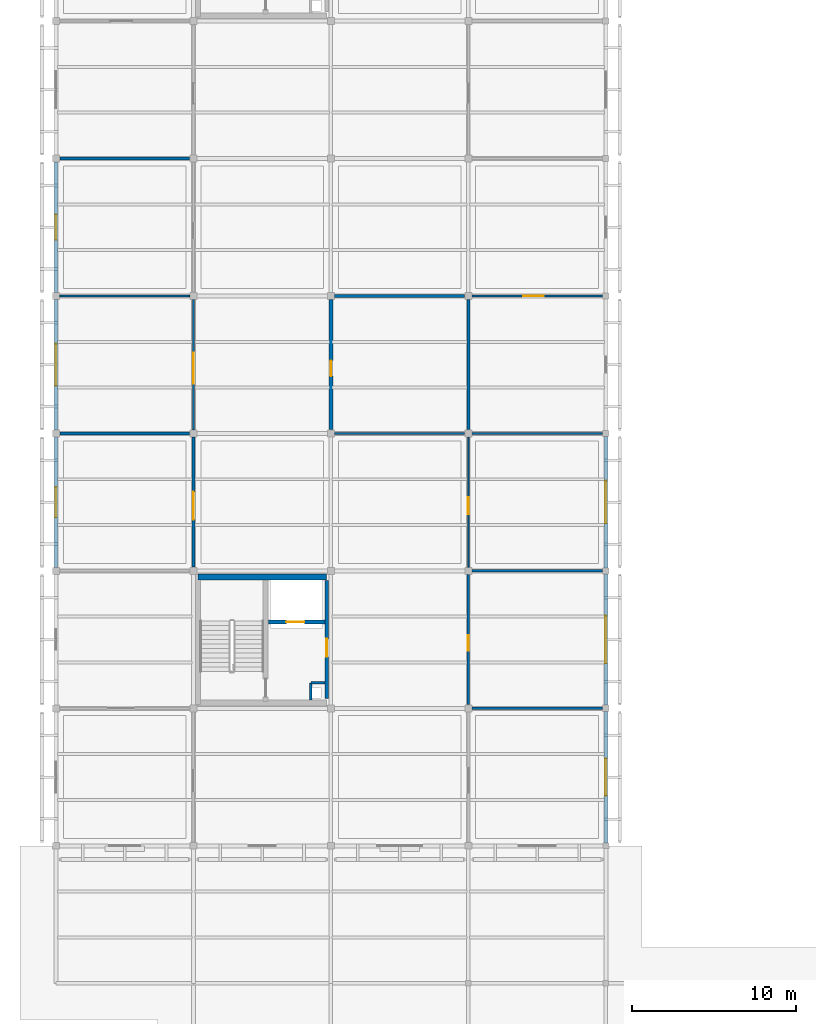
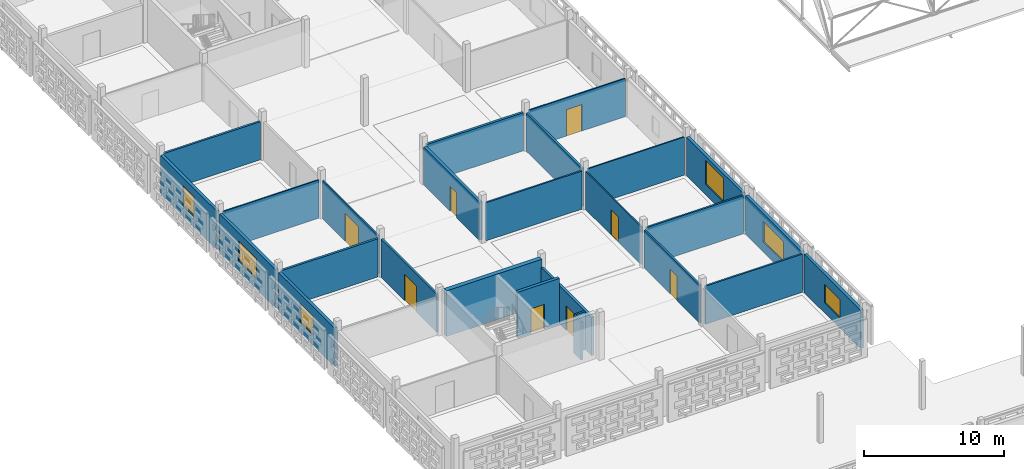
# One storey, part 71 of 103: 26 walls, 8 doors, 6 windows, 14 openings.
"""IFC4 building model written with IfcOpenShell, lengths in metres."""

from ifc_helpers import new_model, si_unit, direction, frame, frame_2d, origin, place, context, subcontext, project, spatial, rectangle, extrude, material, layer, layer_set, type_object, element, fill, save


model = new_model("IFC4")

# Units and contexts
model_context = context("Model", 3, precision=1e-05, world=origin(), true_north=direction((0.0, 1.0)))
body_context = subcontext(model_context, "Body", "Model", "MODEL_VIEW")
ifc_project = project(units=[si_unit("LENGTHUNIT", "METRE"), si_unit("AREAUNIT", "SQUARE_METRE"), si_unit("VOLUMEUNIT", "CUBIC_METRE"), si_unit("PLANEANGLEUNIT", "RADIAN"), si_unit("MASSUNIT", "GRAM", prefix="KILO")], contexts=[model_context])

# Site, building, storey
site_placement = place(None, origin())
site = spatial("IfcSite", under=ifc_project, at=site_placement, CompositionType="ELEMENT")
building_placement = place(site_placement, origin())
building = spatial("IfcBuilding", under=site, at=building_placement, Name="Varnapada Polytechnic", CompositionType="ELEMENT")
storey_placement = place(building_placement, frame((0.0, 0.0, 18.0)))
storey = spatial("IfcBuildingStorey", under=building, at=storey_placement, Name="L04", CompositionType="ELEMENT", Elevation=18.0)

# Wall, opening, door
ifc_material_1 = material(Name="Autoclaved Aerated Concrete Block AAC-600", Category="concrete")
ifc_layer_1 = layer(ifc_material_1, 0.199951171875)
ifc_layer_set_1 = layer_set([ifc_layer_1], Name="Autoclaved Aerated Concrete Block AAC-600")
wall_type_1 = type_object("IfcWallType", Name="Interior Wall IW-01", PredefinedType="PARTITIONING", material=ifc_layer_set_1)
wall_1_placement = place(storey_placement, frame((16.5400390625, 66.60009765625, 0.0), z_axis=(0.0, 0.0, 1.0), x_axis=(0.0, -1.0, 0.0)))
wall_1 = element("IfcWall", 1, at=wall_1_placement, inside=storey, type_object=wall_type_1, Name="L04 C2 firefighting lobby east wall", PredefinedType="PARTITIONING", context=body_context, shape_type="SweptSolid", body=[
    extrude(rectangle(XDim=7.2001953125, YDim=0.199951171875, at=frame_2d((3.60009765625, 0.0))), origin(), (0.0, 0.0, 1.0), 3.320068359375),
])
opening_1_placement = place(wall_1_placement, frame((3.550048828125, 0.0, 0.0)))
opening_1 = element("IfcOpeningElement", 2, at=opening_1_placement, cuts=wall_1, Name="Opening D-1259", PredefinedType="OPENING", context=body_context, shape_type="SweptSolid", body=[
    extrude(rectangle(XDim=1.10009765625, YDim=2.14990234375, at=frame_2d((0.550048828125, 1.074951171875))), frame((0.0, 0.10986328125, 0.0), z_axis=(0.0, -1.0, 0.0), x_axis=(1.0, 0.0, 0.0)), (0.0, 0.0, 1.0), 0.219970703125),
])
ifc_material_2 = material(Name="Galvanized Steel Z275", Category="steel")
door_type_1 = type_object("IfcDoorType", Name="Interior Door ID-01", OperationType="NOTDEFINED", PredefinedType="DOOR", material=ifc_material_2)
door_1_placement = place(opening_1_placement, frame((1.10009765625, 0.0, 0.0), z_axis=(0.0, 0.0, 1.0), x_axis=(-1.0, 0.0, 0.0)))
door_1 = element("IfcDoor", 3, at=door_1_placement, inside=storey, type_object=door_type_1, Name="L04 C2 lobby fire door D-1259", OperationType="SINGLE_SWING_LEFT", OverallHeight=2.14990234375, OverallWidth=1.10009765625, PredefinedType="DOOR", context=body_context, shape_type="SweptSolid", body=[
    extrude(rectangle(XDim=1.10009765625, YDim=2.14990234375, at=frame_2d((0.550048828125, 1.074951171875))), frame((0.0, 0.02490234375, 0.0), z_axis=(0.0, -1.0, 0.0), x_axis=(1.0, 0.0, 0.0)), (0.0, 0.0, 1.0), 0.050048828125),
])
fill(opening_1, door_1)

# Walls
ifc_layer_2 = layer(ifc_material_1, 0.14990234375)
ifc_layer_set_2 = layer_set([ifc_layer_2], Name="Autoclaved Aerated Concrete Block AAC-600")
wall_type_2 = type_object("IfcWallType", Name="Interior Wall IW-02", PredefinedType="PARTITIONING", material=ifc_layer_set_2)
wall_2_placement = place(storey_placement, frame((15.580078125, 60.360107421875, 0.0), z_axis=(0.0, 0.0, 1.0), x_axis=(0.0, -1.0, 0.0)))
element("IfcWall", 4, at=wall_2_placement, inside=storey, type_object=wall_type_2, Name="L04 C2 riser shaft west wall", PredefinedType="PARTITIONING", context=body_context, shape_type="SweptSolid", body=[
    extrude(rectangle(XDim=1.06005859375, YDim=0.14990234375, at=frame_2d((0.530029296875, 0.0))), origin(), (0.0, 0.0, 1.0), 3.320068359375),
])
wall_3_placement = place(storey_placement, frame((15.580078125, 60.360107421875, 0.0), z_axis=(0.0, 0.0, 1.0), x_axis=(1.0, 0.0, 0.0)))
element("IfcWall", 5, at=wall_3_placement, inside=storey, type_object=wall_type_2, Name="L04 C2 riser shaft north wall", PredefinedType="PARTITIONING", context=body_context, shape_type="SweptSolid", body=[
    extrude(rectangle(XDim=0.85986328125, YDim=0.14990234375, at=frame_2d((0.429931640625, 0.0))), origin(), (0.0, 0.0, 1.0), 3.320068359375),
])

# Wall, opening, door
ifc_material_3 = material(Name="Moisture-Resistant Cement Board Partition")
ifc_layer_3 = layer(ifc_material_3, 0.139892578125)
ifc_layer_set_3 = layer_set([ifc_layer_3], Name="Moisture-Resistant Cement Board Partition")
wall_type_3 = type_object("IfcWallType", Name="Interior Wall IW-04", PredefinedType="PARTITIONING", material=ifc_layer_set_3)
wall_4_placement = place(storey_placement, frame((25.199951171875, 59.030029296875, 0.0), z_axis=(0.0, 0.0, 1.0), x_axis=(0.0, 1.0, 0.0)))
wall_4 = element("IfcWall", 6, at=wall_4_placement, inside=storey, type_object=wall_type_3, Name="L04 interior partition IW-L04-02-07-V", PredefinedType="PARTITIONING", context=body_context, shape_type="SweptSolid", body=[
    extrude(rectangle(XDim=7.93994140625, YDim=0.139892578125, at=frame_2d((3.969970703125, 0.0))), origin(), (0.0, 0.0, 1.0), 3.320068359375),
])
opening_2_placement = place(wall_4_placement, frame((3.27490234375, 0.0, 0.0)))
opening_2 = element("IfcOpeningElement", 7, at=opening_2_placement, cuts=wall_4, Name="Opening D-1281", PredefinedType="OPENING", context=body_context, shape_type="SweptSolid", body=[
    extrude(rectangle(XDim=0.949951171875, YDim=2.14990234375, at=frame_2d((0.47509765625, 1.074951171875))), frame((0.0, 0.079833984375, 0.0), z_axis=(0.0, -1.0, 0.0), x_axis=(1.0, 0.0, 0.0)), (0.0, 0.0, 1.0), 0.159912109375),
])
ifc_material_4 = material(Name="Moisture-Resistant HPL Timber", Category="wood")
door_type_2 = type_object("IfcDoorType", Name="Interior Door ID-03", OperationType="NOTDEFINED", PredefinedType="DOOR", material=ifc_material_4)
door_2_placement = place(opening_2_placement, origin())
door_2 = element("IfcDoor", 8, at=door_2_placement, inside=storey, type_object=door_type_2, Name="L04 interior room door D-1281", OperationType="SINGLE_SWING_RIGHT", OverallHeight=2.14990234375, OverallWidth=0.949951171875, PredefinedType="DOOR", context=body_context, shape_type="SweptSolid", body=[
    extrude(rectangle(XDim=0.949951171875, YDim=2.14990234375, at=frame_2d((0.47509765625, 1.074951171875))), frame((0.0, 0.02490234375, 0.0), z_axis=(0.0, -1.0, 0.0), x_axis=(1.0, 0.0, 0.0)), (0.0, 0.0, 1.0), 0.050048828125),
])
fill(opening_2, door_2)

# Walls
for number, where, z_axis, x_axis, name in (
    (9, (25.429931640625, 58.800048828125, 0.0), (0.0, 0.0, 1.0), (1.0, 0.0, 0.0), "L04 interior partition IW-L04-03-06-H"),
    (10, (25.429931640625, 67.199951171875, 0.0), (0.0, 0.0, 1.0), (1.0, 0.0, 0.0), "L04 interior partition IW-L04-03-07-H"),
):
    element("IfcWall", number, at=place(storey_placement, frame(where, z_axis=z_axis, x_axis=x_axis)), inside=storey, type_object=wall_type_3, Name=name, PredefinedType="PARTITIONING", context=body_context, shape_type="SweptSolid", body=[
        extrude(rectangle(XDim=7.9599609375, YDim=0.139892578125, at=frame_2d((3.97998046875, 0.0))), origin(), (0.0, 0.0, 1.0), 3.320068359375),
    ])

# Wall, opening, door
ifc_material_5 = material(Name="Cross-laminated timber CLT C24", Category="wood")
ifc_layer_4 = layer(ifc_material_5, 0.159912109375)
ifc_layer_set_4 = layer_set([ifc_layer_4], Name="Cross-laminated timber CLT C24")
wall_type_4 = type_object("IfcWallType", Name="Interior Wall IW-05", PredefinedType="PARTITIONING", material=ifc_layer_set_4)
wall_5_placement = place(storey_placement, frame((8.39990234375, 67.429931640625, 0.0), z_axis=(0.0, 0.0, 1.0), x_axis=(0.0, 1.0, 0.0)))
wall_5 = element("IfcWall", 11, at=wall_5_placement, inside=storey, type_object=wall_type_4, Name="L04 interior partition IW-L04-00-08-V", PredefinedType="PARTITIONING", context=body_context, shape_type="SweptSolid", body=[
    extrude(rectangle(XDim=7.940185546875, YDim=0.159912109375, at=frame_2d((3.97021484375, 0.0))), origin(), (0.0, 0.0, 1.0), 3.320068359375),
])
opening_3_placement = place(wall_5_placement, frame((2.89990234375, 0.0, 0.0)))
opening_3 = element("IfcOpeningElement", 12, at=opening_3_placement, cuts=wall_5, Name="Opening D-1269", PredefinedType="OPENING", context=body_context, shape_type="SweptSolid", body=[
    extrude(rectangle(XDim=1.699951171875, YDim=2.300048828125, at=frame_2d((0.85009765625, 1.14990234375))), frame((0.0, 0.08984375, 0.0), z_axis=(0.0, -1.0, 0.0), x_axis=(1.0, 0.0, 0.0)), (0.0, 0.0, 1.0), 0.179931640625),
])
ifc_material_6 = material(Name="Acoustic Double Timber Leaf", Category="wood")
door_type_3 = type_object("IfcDoorType", Name="Interior Door ID-13", OperationType="NOTDEFINED", PredefinedType="DOOR", material=ifc_material_6)
door_3_placement = place(opening_3_placement, origin())
door_3 = element("IfcDoor", 13, at=door_3_placement, inside=storey, type_object=door_type_3, Name="L04 interior room door D-1269", OperationType="SINGLE_SWING_RIGHT", OverallHeight=2.300048828125, OverallWidth=1.699951171875, PredefinedType="DOOR", context=body_context, shape_type="SweptSolid", body=[
    extrude(rectangle(XDim=1.699951171875, YDim=2.300048828125, at=frame_2d((0.85009765625, 1.14990234375))), frame((0.0, 0.02490234375, 0.0), z_axis=(0.0, -1.0, 0.0), x_axis=(1.0, 0.0, 0.0)), (0.0, 0.0, 1.0), 0.050048828125),
])
fill(opening_3, door_3)

# Wall
ifc_material_7 = material(Name="Acoustic Double-Stud Studio Partition")
ifc_layer_5 = layer(ifc_material_7, 0.179931640625)
ifc_layer_set_5 = layer_set([ifc_layer_5], Name="Acoustic Double-Stud Studio Partition")
wall_type_5 = type_object("IfcWallType", Name="Interior Wall IW-06", PredefinedType="PARTITIONING", material=ifc_layer_set_5)
wall_6_placement = place(storey_placement, frame((0.22998046875, 75.60009765625, 0.0), z_axis=(0.0, 0.0, 1.0), x_axis=(1.0, 0.0, 0.0)))
element("IfcWall", 14, at=wall_6_placement, inside=storey, type_object=wall_type_5, Name="L04 interior partition IW-L04-00-08-H", PredefinedType="PARTITIONING", context=body_context, shape_type="SweptSolid", body=[
    extrude(rectangle(XDim=7.93994140625, YDim=0.179931640625, at=frame_2d((3.969970703125, 0.0))), origin(), (0.0, 0.0, 1.0), 3.320068359375),
])

# Wall, opening, door
ifc_material_8 = material(Name="Glazed Timber-Framed Studio Screen", Category="wood")
ifc_layer_6 = layer(ifc_material_8, 0.110107421875)
ifc_layer_set_6 = layer_set([ifc_layer_6], Name="Glazed Timber-Framed Studio Screen")
wall_type_6 = type_object("IfcWallType", Name="Interior Wall IW-07", PredefinedType="PARTITIONING", material=ifc_layer_set_6)
wall_7_placement = place(storey_placement, frame((8.39990234375, 75.830078125, 0.0), z_axis=(0.0, 0.0, 1.0), x_axis=(0.0, 1.0, 0.0)))
wall_7 = element("IfcWall", 15, at=wall_7_placement, inside=storey, type_object=wall_type_6, Name="L04 interior partition IW-L04-00-09-V", PredefinedType="PARTITIONING", context=body_context, shape_type="SweptSolid", body=[
    extrude(rectangle(XDim=7.93994140625, YDim=0.110107421875, at=frame_2d((3.969970703125, 0.0))), origin(), (0.0, 0.0, 1.0), 3.320068359375),
])
opening_4_placement = place(wall_7_placement, frame((2.800048828125, 0.0, 0.0)))
opening_4 = element("IfcOpeningElement", 16, at=opening_4_placement, cuts=wall_7, Name="Opening D-1270", PredefinedType="OPENING", context=body_context, shape_type="SweptSolid", body=[
    extrude(rectangle(XDim=1.89990234375, YDim=2.39990234375, at=frame_2d((0.949951171875, 1.199951171875))), frame((0.0, 0.06494140625, 0.0), z_axis=(0.0, -1.0, 0.0), x_axis=(1.0, 0.0, 0.0)), (0.0, 0.0, 1.0), 0.130126953125),
])
ifc_material_9 = material(Name="Heavy Workshop Double Steel Door", Category="steel")
door_type_4 = type_object("IfcDoorType", Name="Interior Door ID-14", OperationType="NOTDEFINED", PredefinedType="DOOR", material=ifc_material_9)
door_4_placement = place(opening_4_placement, origin())
door_4 = element("IfcDoor", 17, at=door_4_placement, inside=storey, type_object=door_type_4, Name="L04 interior room door D-1270", OperationType="SINGLE_SWING_LEFT", OverallHeight=2.39990234375, OverallWidth=1.89990234375, PredefinedType="DOOR", context=body_context, shape_type="SweptSolid", body=[
    extrude(rectangle(XDim=1.89990234375, YDim=2.39990234375, at=frame_2d((0.949951171875, 1.199951171875))), frame((0.0, 0.02490234375, 0.0), z_axis=(0.0, -1.0, 0.0), x_axis=(1.0, 0.0, 0.0)), (0.0, 0.0, 1.0), 0.050048828125),
])
fill(opening_4, door_4)

# Walls
wall_8_placement = place(storey_placement, frame((25.429931640625, 75.60009765625, 0.0), z_axis=(0.0, 0.0, 1.0), x_axis=(1.0, 0.0, 0.0)))
element("IfcWall", 18, at=wall_8_placement, inside=storey, type_object=wall_type_6, Name="L04 interior partition IW-L04-03-08-H", PredefinedType="PARTITIONING", context=body_context, shape_type="SweptSolid", body=[
    extrude(rectangle(XDim=7.9599609375, YDim=0.110107421875, at=frame_2d((3.97998046875, 0.0))), origin(), (0.0, 0.0, 1.0), 3.320068359375),
])
ifc_material_10 = material(Name="Operable Acoustic Seminar Partition")
ifc_layer_7 = layer(ifc_material_10, 0.10009765625)
ifc_layer_set_7 = layer_set([ifc_layer_7], Name="Operable Acoustic Seminar Partition")
wall_type_7 = type_object("IfcWallType", Name="Interior Wall IW-08", PredefinedType="MOVABLE", material=ifc_layer_set_7)
wall_9_placement = place(storey_placement, frame((0.22998046875, 84.0, 0.0), z_axis=(0.0, 0.0, 1.0), x_axis=(1.0, 0.0, 0.0)))
element("IfcWall", 19, at=wall_9_placement, inside=storey, type_object=wall_type_7, Name="L04 interior partition IW-L04-00-09-H", PredefinedType="MOVABLE", context=body_context, shape_type="SweptSolid", body=[
    extrude(rectangle(XDim=7.93994140625, YDim=0.10009765625, at=frame_2d((3.969970703125, 0.0))), origin(), (0.0, 0.0, 1.0), 3.320068359375),
])

# Wall, opening, door
wall_10_placement = place(storey_placement, frame((25.199951171875, 67.429931640625, 0.0), z_axis=(0.0, 0.0, 1.0), x_axis=(0.0, 1.0, 0.0)))
wall_10 = element("IfcWall", 20, at=wall_10_placement, inside=storey, type_object=wall_type_7, Name="L04 interior partition IW-L04-02-08-V", PredefinedType="MOVABLE", context=body_context, shape_type="SweptSolid", body=[
    extrude(rectangle(XDim=7.940185546875, YDim=0.10009765625, at=frame_2d((3.97021484375, 0.0))), origin(), (0.0, 0.0, 1.0), 3.320068359375),
])
opening_5_placement = place(wall_10_placement, frame((3.22509765625, 0.0, 0.0)))
opening_5 = element("IfcOpeningElement", 21, at=opening_5_placement, cuts=wall_10, Name="Opening D-1282", PredefinedType="OPENING", context=body_context, shape_type="SweptSolid", body=[
    extrude(rectangle(XDim=1.050048828125, YDim=2.199951171875, at=frame_2d((0.52490234375, 1.10009765625))), frame((0.0, 0.06005859375, 0.0), z_axis=(0.0, -1.0, 0.0), x_axis=(1.0, 0.0, 0.0)), (0.0, 0.0, 1.0), 0.1201171875),
])
ifc_material_11 = material(Name="Solid Teak Hardwood Timber", Category="wood")
door_type_5 = type_object("IfcDoorType", Name="Interior Door ID-09", OperationType="NOTDEFINED", PredefinedType="DOOR", material=ifc_material_11)
door_5_placement = place(opening_5_placement, origin())
door_5 = element("IfcDoor", 22, at=door_5_placement, inside=storey, type_object=door_type_5, Name="L04 interior room door D-1282", OperationType="SINGLE_SWING_LEFT", OverallHeight=2.199951171875, OverallWidth=1.050048828125, PredefinedType="DOOR", context=body_context, shape_type="SweptSolid", body=[
    extrude(rectangle(XDim=1.050048828125, YDim=2.199951171875, at=frame_2d((0.52490234375, 1.10009765625))), frame((0.0, 0.02490234375, 0.0), z_axis=(0.0, -1.0, 0.0), x_axis=(1.0, 0.0, 0.0)), (0.0, 0.0, 1.0), 0.050048828125),
])
fill(opening_5, door_5)

wall_11_placement = place(storey_placement, frame((25.429931640625, 84.0, 0.0), z_axis=(0.0, 0.0, 1.0), x_axis=(1.0, 0.0, 0.0)))
wall_11 = element("IfcWall", 23, at=wall_11_placement, inside=storey, type_object=wall_type_7, Name="L04 interior partition IW-L04-03-09-H", PredefinedType="MOVABLE", context=body_context, shape_type="SweptSolid", body=[
    extrude(rectangle(XDim=7.9599609375, YDim=0.10009765625, at=frame_2d((3.97998046875, 0.0))), origin(), (0.0, 0.0, 1.0), 3.320068359375),
])
opening_6_placement = place(wall_11_placement, frame((3.125, 0.0, 0.0)))
opening_6 = element("IfcOpeningElement", 24, at=opening_6_placement, cuts=wall_11, Name="Opening D-1289", PredefinedType="OPENING", context=body_context, shape_type="SweptSolid", body=[
    extrude(rectangle(XDim=1.25, YDim=2.300048828125, at=frame_2d((0.625, 1.14990234375))), frame((0.0, 0.06005859375, 0.0), z_axis=(0.0, -1.0, 0.0), x_axis=(1.0, 0.0, 0.0)), (0.0, 0.0, 1.0), 0.1201171875),
])
door_type_6 = type_object("IfcDoorType", Name="Interior Door ID-16", OperationType="NOTDEFINED", PredefinedType="DOOR", material=ifc_material_11)
door_6_placement = place(opening_6_placement, frame((1.25, 0.0, 0.0), z_axis=(0.0, 0.0, 1.0), x_axis=(-1.0, 0.0, 0.0)))
door_6 = element("IfcDoor", 25, at=door_6_placement, inside=storey, type_object=door_type_6, Name="L04 interior room door D-1289", OperationType="SINGLE_SWING_RIGHT", OverallHeight=2.300048828125, OverallWidth=1.25, PredefinedType="DOOR", context=body_context, shape_type="SweptSolid", body=[
    extrude(rectangle(XDim=1.25, YDim=2.300048828125, at=frame_2d((0.625, 1.14990234375))), frame((0.0, 0.02490234375, 0.0), z_axis=(0.0, -1.0, 0.0), x_axis=(1.0, 0.0, 0.0)), (0.0, 0.0, 1.0), 0.050048828125),
])
fill(opening_6, door_6)

# Walls
ifc_material_12 = material(Name="Calcium Silicate Acoustic Lab Partition")
ifc_layer_8 = layer(ifc_material_12, 0.135009765625)
ifc_layer_set_8 = layer_set([ifc_layer_8], Name="Calcium Silicate Acoustic Lab Partition")
wall_type_8 = type_object("IfcWallType", Name="Interior Wall IW-09", PredefinedType="PARTITIONING", material=ifc_layer_set_8)
wall_12_placement = place(storey_placement, frame((17.030029296875, 75.60009765625, 0.0), z_axis=(0.0, 0.0, 1.0), x_axis=(1.0, 0.0, 0.0)))
element("IfcWall", 26, at=wall_12_placement, inside=storey, type_object=wall_type_8, Name="L04 interior partition IW-L04-02-08-H", PredefinedType="PARTITIONING", context=body_context, shape_type="SweptSolid", body=[
    extrude(rectangle(XDim=7.93994140625, YDim=0.135009765625, at=frame_2d((3.969970703125, 0.0))), origin(), (0.0, 0.0, 1.0), 3.320068359375),
])
ifc_material_13 = material(Name="Double-Layer Fireboard Workshop Wall")
ifc_layer_9 = layer(ifc_material_13, 0.169921875)
ifc_layer_set_9 = layer_set([ifc_layer_9], Name="Double-Layer Fireboard Workshop Wall")
wall_type_9 = type_object("IfcWallType", Name="Interior Wall IW-10", PredefinedType="PARTITIONING", material=ifc_layer_set_9)
for number, where, z_axis, x_axis, name in (
    (27, (0.22998046875, 92.39990234375, 0.0), (0.0, 0.0, 1.0), (1.0, 0.0, 0.0), "L04 interior partition IW-L04-00-10-H"),
    (28, (25.199951171875, 75.830078125, 0.0), (0.0, 0.0, 1.0), (0.0, 1.0, 0.0), "L04 interior partition IW-L04-02-09-V"),
):
    element("IfcWall", number, at=place(storey_placement, frame(where, z_axis=z_axis, x_axis=x_axis)), inside=storey, type_object=wall_type_9, Name=name, PredefinedType="PARTITIONING", context=body_context, shape_type="SweptSolid", body=[
        extrude(rectangle(XDim=7.93994140625, YDim=0.169921875, at=frame_2d((3.969970703125, 0.0))), origin(), (0.0, 0.0, 1.0), 3.320068359375),
    ])
ifc_material_14 = material(Name="Insulated Masonry Plant Room Wall", Category="masonry")
ifc_layer_10 = layer(ifc_material_14, 0.18994140625)
ifc_layer_set_10 = layer_set([ifc_layer_10], Name="Insulated Masonry Plant Room Wall")
wall_type_10 = type_object("IfcWallType", Name="Interior Wall IW-11", PredefinedType="PARTITIONING", material=ifc_layer_set_10)
wall_13_placement = place(storey_placement, frame((17.030029296875, 84.0, 0.0), z_axis=(0.0, 0.0, 1.0), x_axis=(1.0, 0.0, 0.0)))
element("IfcWall", 29, at=wall_13_placement, inside=storey, type_object=wall_type_10, Name="L04 interior partition IW-L04-02-09-H", PredefinedType="PARTITIONING", context=body_context, shape_type="SweptSolid", body=[
    extrude(rectangle(XDim=7.93994140625, YDim=0.18994140625, at=frame_2d((3.969970703125, 0.0))), origin(), (0.0, 0.0, 1.0), 3.320068359375),
])

# Wall, opening, door
ifc_material_15 = material(Name="Double-Leaf Acoustic Lecture Wall")
ifc_layer_11 = layer(ifc_material_15, 0.235107421875)
ifc_layer_set_11 = layer_set([ifc_layer_11], Name="Double-Leaf Acoustic Lecture Wall")
wall_type_11 = type_object("IfcWallType", Name="Interior Wall IW-17", PredefinedType="PARTITIONING", material=ifc_layer_set_11)
wall_14_placement = place(storey_placement, frame((16.800048828125, 75.830078125, 0.0), z_axis=(0.0, 0.0, 1.0), x_axis=(0.0, 1.0, 0.0)))
wall_14 = element("IfcWall", 30, at=wall_14_placement, inside=storey, type_object=wall_type_11, Name="L04 interior partition IW-L04-01-09-V", PredefinedType="PARTITIONING", context=body_context, shape_type="SweptSolid", body=[
    extrude(rectangle(XDim=7.93994140625, YDim=0.235107421875, at=frame_2d((3.969970703125, 0.0))), origin(), (0.0, 0.0, 1.0), 3.320068359375),
])
opening_7_placement = place(wall_14_placement, frame((3.27490234375, 0.0, 0.0)))
opening_7 = element("IfcOpeningElement", 31, at=opening_7_placement, cuts=wall_14, Name="Opening D-1276", PredefinedType="OPENING", context=body_context, shape_type="SweptSolid", body=[
    extrude(rectangle(XDim=0.949951171875, YDim=2.14990234375, at=frame_2d((0.47509765625, 1.074951171875))), frame((0.0, 0.12744140625, 0.0), z_axis=(0.0, -1.0, 0.0), x_axis=(1.0, 0.0, 0.0)), (0.0, 0.0, 1.0), 0.255126953125),
])
door_7_placement = place(opening_7_placement, origin())
door_7 = element("IfcDoor", 32, at=door_7_placement, inside=storey, type_object=door_type_2, Name="L04 interior room door D-1276", OperationType="SINGLE_SWING_LEFT", OverallHeight=2.14990234375, OverallWidth=0.949951171875, PredefinedType="DOOR", context=body_context, shape_type="SweptSolid", body=[
    extrude(rectangle(XDim=0.949951171875, YDim=2.14990234375, at=frame_2d((0.47509765625, 1.074951171875))), frame((0.0, 0.02490234375, 0.0), z_axis=(0.0, -1.0, 0.0), x_axis=(1.0, 0.0, 0.0)), (0.0, 0.0, 1.0), 0.050048828125),
])
fill(opening_7, door_7)

# Wall
ifc_material_16 = material(Name="Concrete C40/50", Category="concrete")
ifc_layer_12 = layer(ifc_material_16, 0.35009765625)
ifc_layer_set_12 = layer_set([ifc_layer_12], Name="Concrete C40/50")
wall_type_12 = type_object("IfcWallType", Name="Interior Wall SW-01", PredefinedType="SHEAR", material=ifc_layer_set_12)
wall_15_placement = place(storey_placement, frame((8.6650390625, 66.820068359375, 0.0), z_axis=(0.0, 0.0, 1.0), x_axis=(1.0, 0.0, 0.0)))
element("IfcWall", 33, at=wall_15_placement, inside=storey, type_object=wall_type_12, Name="L04 C2 core north shear wall", PredefinedType="SHEAR", context=body_context, shape_type="SweptSolid", body=[
    extrude(rectangle(XDim=7.875, YDim=0.35009765625, at=frame_2d((3.9375, 0.0))), origin(), (0.0, 0.0, 1.0), 3.97998046875),
])

# Wall, opening, door
ifc_layer_13 = layer(ifc_material_16, 0.25)
ifc_layer_set_13 = layer_set([ifc_layer_13], Name="Concrete C40/50")
wall_type_13 = type_object("IfcWallType", Name="Interior Wall SW-05", PredefinedType="SHEAR", material=ifc_layer_set_13)
wall_16_placement = place(storey_placement, frame((12.97998046875, 64.080078125, 0.0), z_axis=(0.0, 0.0, 1.0), x_axis=(1.0, 0.0, 0.0)))
wall_16 = element("IfcWall", 34, at=wall_16_placement, inside=storey, type_object=wall_type_13, Name="L04 C2 lift shaft front wall", PredefinedType="SHEAR", context=body_context, shape_type="SweptSolid", body=[
    extrude(rectangle(XDim=3.4599609375, YDim=0.25, at=frame_2d((1.72998046875, 0.0))), origin(), (0.0, 0.0, 1.0), 3.97998046875),
])
opening_8_placement = place(wall_16_placement, frame((1.10009765625, 0.0, 0.0)))
opening_8 = element("IfcOpeningElement", 35, at=opening_8_placement, cuts=wall_16, Name="Opening LD-030", PredefinedType="OPENING", context=body_context, shape_type="SweptSolid", body=[
    extrude(rectangle(XDim=1.10009765625, YDim=2.14990234375, at=frame_2d((0.550048828125, 1.074951171875))), frame((0.0, 0.135009765625, 0.0), z_axis=(0.0, -1.0, 0.0), x_axis=(1.0, 0.0, 0.0)), (0.0, 0.0, 1.0), 0.27001953125),
])
ifc_material_17 = material(Name="Brushed Stainless Steel 316", Category="steel")
door_type_7 = type_object("IfcDoorType", Name="Interior Door LD-01", OperationType="NOTDEFINED", PredefinedType="DOOR", material=ifc_material_17)
door_8_placement = place(opening_8_placement, origin())
door_8 = element("IfcDoor", 36, at=door_8_placement, inside=storey, type_object=door_type_7, Name="L04 LFT-02 sliding lift landing door LD-030", OperationType="DOUBLE_DOOR_SLIDING", OverallHeight=2.14990234375, OverallWidth=1.10009765625, PredefinedType="DOOR", context=body_context, shape_type="SweptSolid", body=[
    extrude(rectangle(XDim=1.10009765625, YDim=2.14990234375, at=frame_2d((0.550048828125, 1.074951171875))), frame((0.0, 0.02490234375, 0.0), z_axis=(0.0, -1.0, 0.0), x_axis=(1.0, 0.0, 0.0)), (0.0, 0.0, 1.0), 0.050048828125),
])
fill(opening_8, door_8)

# Wall, opening, window
ifc_material_18 = material(Name="Precast concrete C40/50", Category="concrete")
ifc_layer_14 = layer(ifc_material_18, 0.239990234375)
ifc_layer_set_14 = layer_set([ifc_layer_14], Name="Precast concrete C40/50")
wall_type_14 = type_object("IfcWallType", Name="Wall EW-06", PredefinedType="SOLIDWALL", material=ifc_layer_set_14)
wall_17_placement = place(storey_placement, frame((0.0, 67.409912109375, 0.0), z_axis=(0.0, 0.0, 1.0), x_axis=(0.0, 1.0, 0.0)))
wall_17 = element("IfcWall", 37, at=wall_17_placement, inside=storey, type_object=wall_type_14, Name="L04 exterior wall EW-06 (4)", PredefinedType="SOLIDWALL", context=body_context, shape_type="SweptSolid", body=[
    extrude(rectangle(XDim=7.97998046875, YDim=0.239990234375, at=frame_2d((3.989990234375, 0.0))), origin(), (0.0, 0.0, 1.0), 3.360107421875),
])
opening_9_placement = place(wall_17_placement, frame((3.06494140625, 0.0, 0.89990234375)))
opening_9 = element("IfcOpeningElement", 38, at=opening_9_placement, cuts=wall_17, Name="Opening WN-24", PredefinedType="OPENING", context=body_context, shape_type="SweptSolid", body=[
    extrude(rectangle(XDim=1.85009765625, YDim=1.64990234375, at=frame_2d((0.925048828125, 0.824951171875))), frame((0.0, 0.1298828125, 0.0), z_axis=(0.0, -1.0, 0.0), x_axis=(1.0, 0.0, 0.0)), (0.0, 0.0, 1.0), 0.260009765625),
])
ifc_material_19 = material(Name="Double low-E laminated glass", Category="glass")
window_type_1 = type_object("IfcWindowType", Name="Window WN-24", PartitioningType="SINGLE_PANEL", PredefinedType="WINDOW", material=ifc_material_19)
window_1_placement = place(opening_9_placement, origin())
window_1 = element("IfcWindow", 39, at=window_1_placement, inside=storey, type_object=window_type_1, Name="L04 window WN-24 (181)", OverallHeight=1.64990234375, OverallWidth=1.85009765625, PartitioningType="SINGLE_PANEL", PredefinedType="WINDOW", context=body_context, shape_type="SweptSolid", body=[
    extrude(rectangle(XDim=1.85009765625, YDim=1.64990234375, at=frame_2d((0.925048828125, 0.824951171875))), frame((0.0, 0.030029296875, 0.0), z_axis=(0.0, -1.0, 0.0), x_axis=(1.0, 0.0, 0.0)), (0.0, 0.0, 1.0), 0.06005859375),
])
fill(opening_9, window_1)

wall_18_placement = place(storey_placement, frame((0.0, 75.81005859375, 0.0), z_axis=(0.0, 0.0, 1.0), x_axis=(0.0, 1.0, 0.0)))
wall_18 = element("IfcWall", 40, at=wall_18_placement, inside=storey, type_object=wall_type_14, Name="L04 exterior wall EW-06 (5)", PredefinedType="SOLIDWALL", context=body_context, shape_type="SweptSolid", body=[
    extrude(rectangle(XDim=7.97998046875, YDim=0.239990234375, at=frame_2d((3.989990234375, 0.0))), origin(), (0.0, 0.0, 1.0), 3.360107421875),
])
opening_10_placement = place(wall_18_placement, frame((2.715087890625, 0.0, 0.89990234375)))
opening_10 = element("IfcOpeningElement", 41, at=opening_10_placement, cuts=wall_18, Name="Opening WN-27", PredefinedType="OPENING", context=body_context, shape_type="SweptSolid", body=[
    extrude(rectangle(XDim=2.550048828125, YDim=1.75, at=frame_2d((1.27490234375, 0.875))), frame((0.0, 0.1298828125, 0.0), z_axis=(0.0, -1.0, 0.0), x_axis=(1.0, 0.0, 0.0)), (0.0, 0.0, 1.0), 0.260009765625),
])
window_type_2 = type_object("IfcWindowType", Name="Window WN-27", PartitioningType="SINGLE_PANEL", PredefinedType="WINDOW", material=ifc_material_19)
window_2_placement = place(opening_10_placement, origin())
window_2 = element("IfcWindow", 42, at=window_2_placement, inside=storey, type_object=window_type_2, Name="L04 window WN-27 (182)", OverallHeight=1.75, OverallWidth=2.550048828125, PartitioningType="SINGLE_PANEL", PredefinedType="WINDOW", context=body_context, shape_type="SweptSolid", body=[
    extrude(rectangle(XDim=2.550048828125, YDim=1.75, at=frame_2d((1.27490234375, 0.875))), frame((0.0, 0.030029296875, 0.0), z_axis=(0.0, -1.0, 0.0), x_axis=(1.0, 0.0, 0.0)), (0.0, 0.0, 1.0), 0.06005859375),
])
fill(opening_10, window_2)

wall_19_placement = place(storey_placement, frame((0.0, 84.2099609375, 0.0), z_axis=(0.0, 0.0, 1.0), x_axis=(0.0, 1.0, 0.0)))
wall_19 = element("IfcWall", 43, at=wall_19_placement, inside=storey, type_object=wall_type_14, Name="L04 exterior wall EW-06 (6)", PredefinedType="SOLIDWALL", context=body_context, shape_type="SweptSolid", body=[
    extrude(rectangle(XDim=7.97998046875, YDim=0.239990234375, at=frame_2d((3.989990234375, 0.0))), origin(), (0.0, 0.0, 1.0), 3.360107421875),
])
opening_11_placement = place(wall_19_placement, frame((3.215087890625, 0.0, 0.89990234375)))
opening_11 = element("IfcOpeningElement", 44, at=opening_11_placement, cuts=wall_19, Name="Opening WN-30", PredefinedType="OPENING", context=body_context, shape_type="SweptSolid", body=[
    extrude(rectangle(XDim=1.550048828125, YDim=1.75, at=frame_2d((0.77490234375, 0.875))), frame((0.0, 0.1298828125, 0.0), z_axis=(0.0, -1.0, 0.0), x_axis=(1.0, 0.0, 0.0)), (0.0, 0.0, 1.0), 0.260009765625),
])
window_type_3 = type_object("IfcWindowType", Name="Window WN-30", PartitioningType="SINGLE_PANEL", PredefinedType="WINDOW", material=ifc_material_19)
window_3_placement = place(opening_11_placement, origin())
window_3 = element("IfcWindow", 45, at=window_3_placement, inside=storey, type_object=window_type_3, Name="L04 window WN-30 (183)", OverallHeight=1.75, OverallWidth=1.550048828125, PartitioningType="SINGLE_PANEL", PredefinedType="WINDOW", context=body_context, shape_type="SweptSolid", body=[
    extrude(rectangle(XDim=1.550048828125, YDim=1.75, at=frame_2d((0.77490234375, 0.875))), frame((0.0, 0.030029296875, 0.0), z_axis=(0.0, -1.0, 0.0), x_axis=(1.0, 0.0, 0.0)), (0.0, 0.0, 1.0), 0.06005859375),
])
fill(opening_11, window_3)

wall_20_placement = place(storey_placement, frame((33.60009765625, 58.610107421875, 0.0), z_axis=(0.0, 0.0, 1.0), x_axis=(0.0, -1.0, 0.0)))
wall_20 = element("IfcWall", 46, at=wall_20_placement, inside=storey, type_object=wall_type_14, Name="L04 exterior wall EW-06 (24)", PredefinedType="SOLIDWALL", context=body_context, shape_type="SweptSolid", body=[
    extrude(rectangle(XDim=8.030029296875, YDim=0.239990234375, at=frame_2d((4.01513671875, 0.0))), origin(), (0.0, 0.0, 1.0), 3.360107421875),
])
opening_12_placement = place(wall_20_placement, frame((2.889892578125, 0.0, 0.89990234375)))
opening_12 = element("IfcOpeningElement", 47, at=opening_12_placement, cuts=wall_20, Name="Opening WN-33", PredefinedType="OPENING", context=body_context, shape_type="SweptSolid", body=[
    extrude(rectangle(XDim=2.25, YDim=1.60009765625, at=frame_2d((1.125, 0.800048828125))), frame((0.0, 0.1298828125, 0.0), z_axis=(0.0, -1.0, 0.0), x_axis=(1.0, 0.0, 0.0)), (0.0, 0.0, 1.0), 0.260009765625),
])
window_type_4 = type_object("IfcWindowType", Name="Window WN-33", PartitioningType="SINGLE_PANEL", PredefinedType="WINDOW", material=ifc_material_19)
window_4_placement = place(opening_12_placement, origin())
window_4 = element("IfcWindow", 48, at=window_4_placement, inside=storey, type_object=window_type_4, Name="L04 window WN-33 (198)", OverallHeight=1.60009765625, OverallWidth=2.25, PartitioningType="SINGLE_PANEL", PredefinedType="WINDOW", context=body_context, shape_type="SweptSolid", body=[
    extrude(rectangle(XDim=2.25, YDim=1.60009765625, at=frame_2d((1.125, 0.800048828125))), frame((0.0, 0.030029296875, 0.0), z_axis=(0.0, -1.0, 0.0), x_axis=(1.0, 0.0, 0.0)), (0.0, 0.0, 1.0), 0.06005859375),
])
fill(opening_12, window_4)

wall_21_placement = place(storey_placement, frame((33.60009765625, 67.010009765625, 0.0), z_axis=(0.0, 0.0, 1.0), x_axis=(0.0, -1.0, 0.0)))
wall_21 = element("IfcWall", 49, at=wall_21_placement, inside=storey, type_object=wall_type_14, Name="L04 exterior wall EW-06 (25)", PredefinedType="SOLIDWALL", context=body_context, shape_type="SweptSolid", body=[
    extrude(rectangle(XDim=8.02001953125, YDim=0.239990234375, at=frame_2d((4.010009765625, 0.0))), origin(), (0.0, 0.0, 1.0), 3.360107421875),
])
opening_13_placement = place(wall_21_placement, frame((2.56005859375, 0.0, 0.89990234375)))
opening_13 = element("IfcOpeningElement", 50, at=opening_13_placement, cuts=wall_21, Name="Opening WN-36", PredefinedType="OPENING", context=body_context, shape_type="SweptSolid", body=[
    extrude(rectangle(XDim=2.89990234375, YDim=1.75, at=frame_2d((1.449951171875, 0.875))), frame((0.0, 0.1298828125, 0.0), z_axis=(0.0, -1.0, 0.0), x_axis=(1.0, 0.0, 0.0)), (0.0, 0.0, 1.0), 0.260009765625),
])
window_type_5 = type_object("IfcWindowType", Name="Window WN-36", PartitioningType="SINGLE_PANEL", PredefinedType="WINDOW", material=ifc_material_19)
window_5_placement = place(opening_13_placement, origin())
window_5 = element("IfcWindow", 51, at=window_5_placement, inside=storey, type_object=window_type_5, Name="L04 window WN-36 (199)", OverallHeight=1.75, OverallWidth=2.89990234375, PartitioningType="SINGLE_PANEL", PredefinedType="WINDOW", context=body_context, shape_type="SweptSolid", body=[
    extrude(rectangle(XDim=2.89990234375, YDim=1.75, at=frame_2d((1.449951171875, 0.875))), frame((0.0, 0.030029296875, 0.0), z_axis=(0.0, -1.0, 0.0), x_axis=(1.0, 0.0, 0.0)), (0.0, 0.0, 1.0), 0.06005859375),
])
fill(opening_13, window_5)

wall_22_placement = place(storey_placement, frame((33.60009765625, 75.409912109375, 0.0), z_axis=(0.0, 0.0, 1.0), x_axis=(0.0, -1.0, 0.0)))
wall_22 = element("IfcWall", 52, at=wall_22_placement, inside=storey, type_object=wall_type_14, Name="L04 exterior wall EW-06 (26)", PredefinedType="SOLIDWALL", context=body_context, shape_type="SweptSolid", body=[
    extrude(rectangle(XDim=8.02001953125, YDim=0.239990234375, at=frame_2d((4.010009765625, 0.0))), origin(), (0.0, 0.0, 1.0), 3.360107421875),
])
opening_14_placement = place(wall_22_placement, frame((2.7099609375, 0.0, 0.89990234375)))
opening_14 = element("IfcOpeningElement", 53, at=opening_14_placement, cuts=wall_22, Name="Opening WN-03", PredefinedType="OPENING", context=body_context, shape_type="SweptSolid", body=[
    extrude(rectangle(XDim=2.60009765625, YDim=2.10009765625, at=frame_2d((1.300048828125, 1.050048828125))), frame((0.0, 0.1298828125, 0.0), z_axis=(0.0, -1.0, 0.0), x_axis=(1.0, 0.0, 0.0)), (0.0, 0.0, 1.0), 0.260009765625),
])
window_type_6 = type_object("IfcWindowType", Name="Window WN-03", PartitioningType="SINGLE_PANEL", PredefinedType="WINDOW", material=ifc_material_19)
window_6_placement = place(opening_14_placement, origin())
window_6 = element("IfcWindow", 54, at=window_6_placement, inside=storey, type_object=window_type_6, Name="L04 window WN-03 (200)", OverallHeight=2.10009765625, OverallWidth=2.60009765625, PartitioningType="SINGLE_PANEL", PredefinedType="WINDOW", context=body_context, shape_type="SweptSolid", body=[
    extrude(rectangle(XDim=2.60009765625, YDim=2.10009765625, at=frame_2d((1.300048828125, 1.050048828125))), frame((0.0, 0.030029296875, 0.0), z_axis=(0.0, -1.0, 0.0), x_axis=(1.0, 0.0, 0.0)), (0.0, 0.0, 1.0), 0.06005859375),
])
fill(opening_14, window_6)

save(model, "model.ifc")
